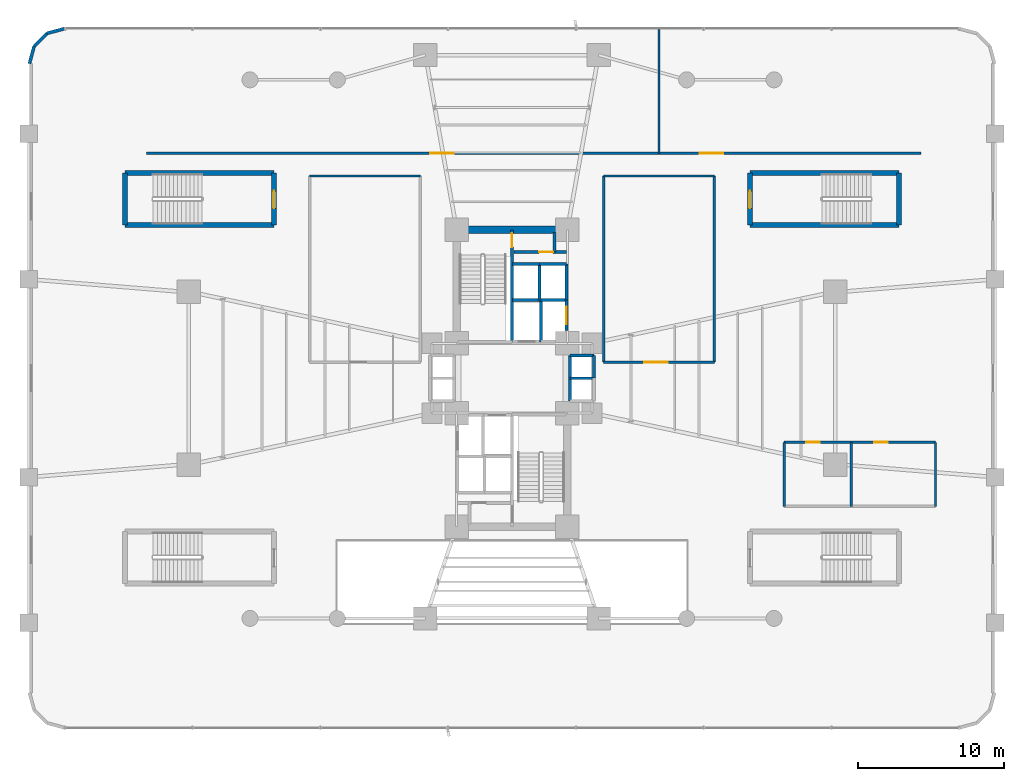
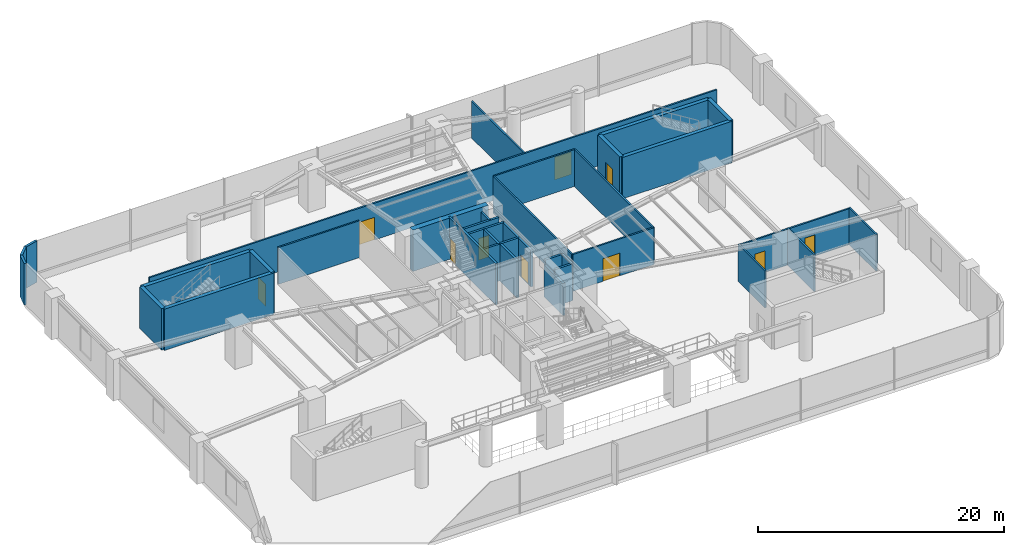
# One storey, part 17 of 23: 37 walls, 10 doors, 10 openings.
"""IFC4 building model written with IfcOpenShell, lengths in metres."""

from ifc_helpers import new_model, si_unit, direction, frame, frame_2d, origin, origin_2d, place, context, subcontext, project, spatial, rectangle, extrude, source, transform, mapped, material, layer, layer_set, type_object, element, fill, save


model = new_model("IFC4")

# Units and contexts
model_context = context("Model", 3, precision=1e-05, world=origin(), true_north=direction((0.0, 1.0)))
body_context = subcontext(model_context, "Body", "Model", "MODEL_VIEW")
ifc_project = project(units=[si_unit("LENGTHUNIT", "METRE"), si_unit("AREAUNIT", "SQUARE_METRE"), si_unit("VOLUMEUNIT", "CUBIC_METRE"), si_unit("PLANEANGLEUNIT", "RADIAN"), si_unit("MASSUNIT", "GRAM", prefix="KILO")], contexts=[model_context])

# Site, building, storey
site_placement = place(None, origin())
site = spatial("IfcSite", under=ifc_project, at=site_placement, CompositionType="ELEMENT")
building_placement = place(site_placement, origin())
building = spatial("IfcBuilding", under=site, at=building_placement, Name="Sahyath Konkavel Grand Hotel", CompositionType="ELEMENT")
storey_placement = place(building_placement, frame((0.0, 0.0, 4.800048828125)))
storey = spatial("IfcBuildingStorey", under=building, at=storey_placement, Name="L01", CompositionType="ELEMENT", Elevation=4.800048828125)

# Walls
ifc_material_1 = material(Name="Concrete C40/50", Category="concrete")
ifc_layer_1 = layer(ifc_material_1, 0.35009765625)
ifc_layer_set_1 = layer_set([ifc_layer_1], Name="Concrete C40/50")
wall_type_1 = type_object("IfcWallType", Name="CWALL-350", PredefinedType="SHEAR", material=ifc_layer_set_1)
for number, where, z_axis, x_axis, name in (
    (1, (-26.60009765625, 14.10009765625, 0.0), (0.0, 0.0, 1.0), (1.0, 0.0, 0.0), "L01 Partition ST-P1-N"),
    (2, (-26.60009765625, 10.52001953125, 0.0), (0.0, 0.0, 1.0), (1.0, 0.0, 0.0), "L01 Partition ST-P1-S"),
):
    element("IfcWall", number, at=place(storey_placement, frame(where, z_axis=z_axis, x_axis=x_axis)), inside=storey, type_object=wall_type_1, Name=name, PredefinedType="SHEAR", context=body_context, shape_type="SweptSolid", body=[
        extrude(rectangle(XDim=10.25, YDim=0.35009765625, at=frame_2d((5.125, 0.0))), origin(), (0.0, 0.0, 1.0), 4.099853515625),
    ])
wall_1_placement = place(storey_placement, frame((-26.60009765625, 10.52001953125, 0.0), z_axis=(0.0, 0.0, 1.0), x_axis=(0.0, 1.0, 0.0)))
element("IfcWall", 3, at=wall_1_placement, inside=storey, type_object=wall_type_1, Name="L01 Partition ST-P1-W", PredefinedType="SHEAR", context=body_context, shape_type="SweptSolid", body=[
    extrude(rectangle(XDim=3.580078125, YDim=0.35009765625, at=frame_2d((1.7900390625, 0.0))), origin(), (0.0, 0.0, 1.0), 4.099853515625),
])

# Wall, opening, door
wall_2_placement = place(storey_placement, frame((-16.35009765625, 10.52001953125, 0.0), z_axis=(0.0, 0.0, 1.0), x_axis=(0.0, 1.0, 0.0)))
wall_2 = element("IfcWall", 4, at=wall_2_placement, inside=storey, type_object=wall_type_1, Name="L01 Partition ST-P1-E", PredefinedType="SHEAR", context=body_context, shape_type="SweptSolid", body=[
    extrude(rectangle(XDim=3.580078125, YDim=0.35009765625, at=frame_2d((1.7900390625, 0.0))), origin(), (0.0, 0.0, 1.0), 4.099853515625),
])
opening_1_placement = place(wall_2_placement, frame((1.14990234375, 0.0, 0.0)))
opening_1 = element("IfcOpeningElement", 5, at=opening_1_placement, cuts=wall_2, Name="Opening D-F12A", PredefinedType="OPENING", context=body_context, shape_type="SweptSolid", body=[
    extrude(rectangle(XDim=1.199951171875, YDim=2.199951171875, at=frame_2d((0.60009765625, 1.10009765625))), frame((0.0, 0.18505859375, 0.0), z_axis=(0.0, -1.0, 0.0), x_axis=(1.0, 0.0, 0.0)), (0.0, 0.0, 1.0), 0.3701171875),
])
ifc_material_2 = material(Name="Steel E350 Fire Door", Category="steel")
door_type_1 = type_object("IfcDoorType", Name="DR-FD120-1200", OperationType="NOTDEFINED", PredefinedType="DOOR", material=ifc_material_2)
shared_shape_1 = source(origin(), body_context, "Body", "SweptSolid", [
    extrude(rectangle(XDim=1.199951171875, YDim=0.050048828125, at=origin_2d()), origin(), (0.0, 0.0, 1.0), 2.199951171875),
])
door_1_placement = place(opening_1_placement, frame((0.60009765625, 0.0, 0.0)))
door_1 = element("IfcDoor", 6, at=door_1_placement, inside=storey, type_object=door_type_1, Name="L01 ST-P1 Fire Door", OperationType="SINGLE_SWING_LEFT", OverallHeight=2.199951171875, OverallWidth=1.199951171875, PredefinedType="DOOR", context=body_context, shape_type="MappedRepresentation", body=[
    mapped(shared_shape_1, transform((0.0, 0.0, 0.0), scale=1.0)),
])
fill(opening_1, door_1)

# Walls
for number, where, z_axis, x_axis, name in (
    (7, (16.35009765625, 14.10009765625, 0.0), (0.0, 0.0, 1.0), (1.0, 0.0, 0.0), "L01 Partition ST-P2-N"),
    (8, (16.35009765625, 10.52001953125, 0.0), (0.0, 0.0, 1.0), (1.0, 0.0, 0.0), "L01 Partition ST-P2-S"),
):
    element("IfcWall", number, at=place(storey_placement, frame(where, z_axis=z_axis, x_axis=x_axis)), inside=storey, type_object=wall_type_1, Name=name, PredefinedType="SHEAR", context=body_context, shape_type="SweptSolid", body=[
        extrude(rectangle(XDim=10.25, YDim=0.35009765625, at=frame_2d((5.125, 0.0))), origin(), (0.0, 0.0, 1.0), 4.099853515625),
    ])

# Wall, opening, door
wall_3_placement = place(storey_placement, frame((16.35009765625, 10.52001953125, 0.0), z_axis=(0.0, 0.0, 1.0), x_axis=(0.0, 1.0, 0.0)))
wall_3 = element("IfcWall", 9, at=wall_3_placement, inside=storey, type_object=wall_type_1, Name="L01 Partition ST-P2-W", PredefinedType="SHEAR", context=body_context, shape_type="SweptSolid", body=[
    extrude(rectangle(XDim=3.580078125, YDim=0.35009765625, at=frame_2d((1.7900390625, 0.0))), origin(), (0.0, 0.0, 1.0), 4.099853515625),
])
opening_2_placement = place(wall_3_placement, frame((1.14990234375, 0.0, 0.0)))
opening_2 = element("IfcOpeningElement", 10, at=opening_2_placement, cuts=wall_3, Name="Opening D-F12A", PredefinedType="OPENING", context=body_context, shape_type="SweptSolid", body=[
    extrude(rectangle(XDim=1.199951171875, YDim=2.199951171875, at=frame_2d((0.60009765625, 1.10009765625))), frame((0.0, 0.18505859375, 0.0), z_axis=(0.0, -1.0, 0.0), x_axis=(1.0, 0.0, 0.0)), (0.0, 0.0, 1.0), 0.3701171875),
])
door_2_placement = place(opening_2_placement, frame((0.60009765625, 0.0, 0.0)))
door_2 = element("IfcDoor", 11, at=door_2_placement, inside=storey, type_object=door_type_1, Name="L01 ST-P2 Fire Door", OperationType="SINGLE_SWING_RIGHT", OverallHeight=2.199951171875, OverallWidth=1.199951171875, PredefinedType="DOOR", context=body_context, shape_type="MappedRepresentation", body=[
    mapped(shared_shape_1, transform((0.0, 0.0, 0.0), scale=1.0)),
])
fill(opening_2, door_2)

# Walls
wall_4_placement = place(storey_placement, frame((26.60009765625, 10.52001953125, 0.0), z_axis=(0.0, 0.0, 1.0), x_axis=(0.0, 1.0, 0.0)))
element("IfcWall", 12, at=wall_4_placement, inside=storey, type_object=wall_type_1, Name="L01 Partition ST-P2-E", PredefinedType="SHEAR", context=body_context, shape_type="SweptSolid", body=[
    extrude(rectangle(XDim=3.580078125, YDim=0.35009765625, at=frame_2d((1.7900390625, 0.0))), origin(), (0.0, 0.0, 1.0), 4.099853515625),
])
ifc_material_3 = material(Name="Concrete C70/85", Category="concrete")
ifc_layer_2 = layer(ifc_material_3, 0.5)
ifc_layer_set_2 = layer_set([ifc_layer_2], Name="Concrete C70/85")
wall_type_2 = type_object("IfcWallType", Name="CWALL-500", PredefinedType="SHEAR", material=ifc_layer_set_2)
wall_5_placement = place(storey_placement, frame((-3.550048828125, 10.199951171875, 0.0), z_axis=(0.0, 0.0, 1.0), x_axis=(1.0, 0.0, 0.0)))
element("IfcWall", 13, at=wall_5_placement, inside=storey, type_object=wall_type_2, Name="L01 North Core Shear Wall N", PredefinedType="SHEAR", context=body_context, shape_type="SweptSolid", body=[
    extrude(rectangle(XDim=7.10009765625, YDim=0.5, at=frame_2d((3.550048828125, 0.0))), origin(), (0.0, 0.0, 1.0), 4.099853515625),
])
ifc_material_4 = material(Name="Warm Buff Sandstone Insulated Concrete C40/50", Category="masonry")
ifc_layer_3 = layer(ifc_material_4, 0.219970703125)
ifc_layer_set_3 = layer_set([ifc_layer_3], Name="Warm Buff Sandstone Insulated Concrete C40/50")
wall_type_3 = type_object("IfcWallType", Name="WLL-BALC-THRESH", PredefinedType="STANDARD", material=ifc_layer_set_3)
wall_6_placement = place(storey_placement, frame((-30.751953125, 24.012939453125, 0.0), z_axis=(0.0, 0.0, 1.0), x_axis=(-0.965924366126, -0.258824494443, 0.0)))
element("IfcWall", 14, at=wall_6_placement, inside=storey, type_object=wall_type_3, Name="L01 Rounded Podium Corner Sandstone Pier 8", PredefinedType="STANDARD", context=body_context, shape_type="SweptSolid", body=[
    extrude(rectangle(XDim=1.2421875, YDim=0.219970703125, at=frame_2d((0.62109375, 0.0))), origin(), (0.0, 0.0, 1.0), 4.099853515625),
])
wall_7_placement = place(storey_placement, frame((-31.951904296875, 23.69140625, 0.0), z_axis=(0.0, 0.0, 1.0), x_axis=(-0.707205024573, -0.707008524149, 0.0)))
element("IfcWall", 15, at=wall_7_placement, inside=storey, type_object=wall_type_3, Name="L01 Rounded Podium Corner Sandstone Pier 9", PredefinedType="STANDARD", context=body_context, shape_type="SweptSolid", body=[
    extrude(rectangle(XDim=1.242431640625, YDim=0.219970703125, at=frame_2d((0.62109375, 0.0))), origin(), (0.0, 0.0, 1.0), 4.099853515625),
])
wall_8_placement = place(storey_placement, frame((-32.83056640625, 22.81298828125, 0.0), z_axis=(0.0, 0.0, 1.0), x_axis=(-0.258824494443, -0.965924366126, 0.0)))
element("IfcWall", 16, at=wall_8_placement, inside=storey, type_object=wall_type_3, Name="L01 Rounded Podium Corner Sandstone Pier 10", PredefinedType="STANDARD", context=body_context, shape_type="SweptSolid", body=[
    extrude(rectangle(XDim=1.2421875, YDim=0.219970703125, at=frame_2d((0.62109375, 0.0))), origin(), (0.0, 0.0, 1.0), 4.099853515625),
])

# Wall, opening, door
ifc_layer_4 = layer(ifc_material_1, 0.199951171875)
ifc_layer_set_4 = layer_set([ifc_layer_4], Name="Concrete C40/50")
wall_type_4 = type_object("IfcWallType", Name="WLL-CORE-200", PredefinedType="SOLIDWALL", material=ifc_layer_set_4)
wall_9_placement = place(storey_placement, frame((0.0, 2.5, 0.0), z_axis=(0.0, 0.0, 1.0), x_axis=(0.0, 1.0, 0.0)))
wall_9 = element("IfcWall", 17, at=wall_9_placement, inside=storey, type_object=wall_type_4, Name="L01 Stair ST-1 Shaft Wall E", PredefinedType="SOLIDWALL", context=body_context, shape_type="SweptSolid", body=[
    extrude(rectangle(XDim=7.679931640625, YDim=0.199951171875, at=frame_2d((3.83984375, 0.0))), origin(), (0.0, 0.0, 1.0), 4.099853515625),
])
opening_3_placement = place(wall_9_placement, frame((6.5, 0.0, 0.0)))
opening_3 = element("IfcOpeningElement", 18, at=opening_3_placement, cuts=wall_9, Name="Opening D-F12C", PredefinedType="OPENING", context=body_context, shape_type="SweptSolid", body=[
    extrude(rectangle(XDim=0.949951171875, YDim=2.14990234375, at=frame_2d((0.47509765625, 1.074951171875))), frame((0.0, 0.10986328125, 0.0), z_axis=(0.0, -1.0, 0.0), x_axis=(1.0, 0.0, 0.0)), (0.0, 0.0, 1.0), 0.219970703125),
])
ifc_material_5 = material(Name="Steel E350 Plant Fire Door", Category="steel")
door_type_2 = type_object("IfcDoorType", Name="DR-FD120-950", OperationType="NOTDEFINED", PredefinedType="DOOR", material=ifc_material_5)
shared_shape_2 = source(origin(), body_context, "Body", "SweptSolid", [
    extrude(rectangle(XDim=0.949951171875, YDim=0.050048828125, at=origin_2d()), origin(), (0.0, 0.0, 1.0), 2.14990234375),
])
door_3_placement = place(opening_3_placement, frame((0.47509765625, 0.0, 0.0)))
door_3 = element("IfcDoor", 19, at=door_3_placement, inside=storey, type_object=door_type_2, Name="L01 Stair ST-1 Fire Door", OperationType="SINGLE_SWING_LEFT", OverallHeight=2.14990234375, OverallWidth=0.949951171875, PredefinedType="DOOR", context=body_context, shape_type="MappedRepresentation", body=[
    mapped(shared_shape_2, transform((0.0, 0.0, 0.0), scale=1.0)),
])
fill(opening_3, door_3)

# Wall
wall_10_placement = place(storey_placement, frame((2.0, 2.5, 0.0), z_axis=(0.0, 0.0, 1.0), x_axis=(0.0, 1.0, 0.0)))
element("IfcWall", 20, at=wall_10_placement, inside=storey, type_object=wall_type_4, Name="L01 Partition SH-FFL1-E", PredefinedType="SOLIDWALL", context=body_context, shape_type="SweptSolid", body=[
    extrude(rectangle(XDim=2.780029296875, YDim=0.199951171875, at=frame_2d((1.39013671875, 0.0))), origin(), (0.0, 0.0, 1.0), 3.64990234375),
])

# Wall, opening, door
wall_11_placement = place(storey_placement, frame((3.739990234375, 3.280029296875, 0.0), z_axis=(0.0, 0.0, 1.0), x_axis=(0.0, 1.0, 0.0)))
wall_11 = element("IfcWall", 21, at=wall_11_placement, inside=storey, type_object=wall_type_4, Name="L01 Partition SH-SVL1-E", PredefinedType="SOLIDWALL", context=body_context, shape_type="SweptSolid", body=[
    extrude(rectangle(XDim=2.080078125, YDim=0.199951171875, at=frame_2d((1.0400390625, 0.0))), origin(), (0.0, 0.0, 1.0), 3.64990234375),
])
opening_4_placement = place(wall_11_placement, frame((0.43994140625, 0.0, 0.0)))
opening_4 = element("IfcOpeningElement", 22, at=opening_4_placement, cuts=wall_11, Name="Opening LD-12", PredefinedType="OPENING", context=body_context, shape_type="SweptSolid", body=[
    extrude(rectangle(XDim=1.199951171875, YDim=2.199951171875, at=frame_2d((0.60009765625, 1.10009765625))), frame((0.0, 0.10986328125, 0.0), z_axis=(0.0, -1.0, 0.0), x_axis=(1.0, 0.0, 0.0)), (0.0, 0.0, 1.0), 0.219970703125),
])
ifc_material_6 = material(Name="Stainless Steel Lift Landing Door 1200", Category="steel")
door_type_3 = type_object("IfcDoorType", Name="DR-LIFT-1200", OperationType="DOUBLE_DOOR_SLIDING", PredefinedType="DOOR", material=ifc_material_6)
door_4_placement = place(opening_4_placement, frame((0.60009765625, 0.0, 0.0)))
door_4 = element("IfcDoor", 23, at=door_4_placement, inside=storey, type_object=door_type_3, Name="L01 Service Lift SVL-1 Landing Door", OperationType="DOUBLE_DOOR_SLIDING", OverallHeight=2.199951171875, OverallWidth=1.199951171875, PredefinedType="DOOR", context=body_context, shape_type="MappedRepresentation", body=[
    mapped(shared_shape_1, transform((0.0, 0.0, 0.0), scale=1.0)),
])
fill(opening_4, door_4)

# Walls
wall_12_placement = place(storey_placement, frame((0.050048828125, 5.3798828125, 0.0), z_axis=(0.0, 0.0, 1.0), x_axis=(1.0, 0.0, 0.0)))
element("IfcWall", 24, at=wall_12_placement, inside=storey, type_object=wall_type_4, Name="L01 Partition SH-PL12-S", PredefinedType="SOLIDWALL", context=body_context, shape_type="SweptSolid", body=[
    extrude(rectangle(XDim=3.68994140625, YDim=0.199951171875, at=frame_2d((1.844970703125, 0.0))), origin(), (0.0, 0.0, 1.0), 3.64990234375),
])
wall_13_placement = place(storey_placement, frame((1.89990234375, 5.3798828125, 0.0), z_axis=(0.0, 0.0, 1.0), x_axis=(0.0, 1.0, 0.0)))
element("IfcWall", 25, at=wall_13_placement, inside=storey, type_object=wall_type_4, Name="L01 Partition SH-PL12-M", PredefinedType="SOLIDWALL", context=body_context, shape_type="SweptSolid", body=[
    extrude(rectangle(XDim=2.480224609375, YDim=0.199951171875, at=frame_2d((1.240234375, 0.0))), origin(), (0.0, 0.0, 1.0), 3.64990234375),
])
wall_14_placement = place(storey_placement, frame((0.050048828125, 7.860107421875, 0.0), z_axis=(0.0, 0.0, 1.0), x_axis=(1.0, 0.0, 0.0)))
element("IfcWall", 26, at=wall_14_placement, inside=storey, type_object=wall_type_4, Name="L01 Partition SH-PL1-N", PredefinedType="SOLIDWALL", context=body_context, shape_type="SweptSolid", body=[
    extrude(rectangle(XDim=1.849853515625, YDim=0.199951171875, at=frame_2d((0.9248046875, 0.0))), origin(), (0.0, 0.0, 1.0), 3.64990234375),
])
wall_15_placement = place(storey_placement, frame((3.739990234375, 5.3798828125, 0.0), z_axis=(0.0, 0.0, 1.0), x_axis=(0.0, 1.0, 0.0)))
element("IfcWall", 27, at=wall_15_placement, inside=storey, type_object=wall_type_4, Name="L01 Partition SH-PL2-E", PredefinedType="SOLIDWALL", context=body_context, shape_type="SweptSolid", body=[
    extrude(rectangle(XDim=2.480224609375, YDim=0.199951171875, at=frame_2d((1.240234375, 0.0))), origin(), (0.0, 0.0, 1.0), 3.64990234375),
])
wall_16_placement = place(storey_placement, frame((1.89990234375, 7.860107421875, 0.0), z_axis=(0.0, 0.0, 1.0), x_axis=(1.0, 0.0, 0.0)))
element("IfcWall", 28, at=wall_16_placement, inside=storey, type_object=wall_type_4, Name="L01 Partition SH-PL2-N", PredefinedType="SOLIDWALL", context=body_context, shape_type="SweptSolid", body=[
    extrude(rectangle(XDim=1.840087890625, YDim=0.199951171875, at=frame_2d((0.919921875, 0.0))), origin(), (0.0, 0.0, 1.0), 3.64990234375),
])
wall_17_placement = place(storey_placement, frame((3.97998046875, -1.56005859375, 0.0), z_axis=(0.0, 0.0, 1.0), x_axis=(0.0, 1.0, 0.0)))
element("IfcWall", 29, at=wall_17_placement, inside=storey, type_object=wall_type_4, Name="L01 Partition SH-PL56-W", PredefinedType="SOLIDWALL", context=body_context, shape_type="SweptSolid", body=[
    extrude(rectangle(XDim=3.1201171875, YDim=0.199951171875, at=frame_2d((1.56005859375, 0.0))), origin(), (0.0, 0.0, 1.0), 3.169921875),
])
for number, where, z_axis, x_axis, name in (
    (30, (3.97998046875, 1.56005859375, 0.0), (0.0, 0.0, 1.0), (1.0, 0.0, 0.0), "L01 Partition SH-PL56-N"),
    (31, (3.97998046875, 0.0, 0.0), (0.0, 0.0, 1.0), (1.0, 0.0, 0.0), "L01 Partition SH-PL56-M"),
):
    element("IfcWall", number, at=place(storey_placement, frame(where, z_axis=z_axis, x_axis=x_axis)), inside=storey, type_object=wall_type_4, Name=name, PredefinedType="SOLIDWALL", context=body_context, shape_type="SweptSolid", body=[
        extrude(rectangle(XDim=1.64013671875, YDim=0.199951171875, at=frame_2d((0.820068359375, 0.0))), origin(), (0.0, 0.0, 1.0), 3.64990234375),
    ])
wall_18_placement = place(storey_placement, frame((5.6201171875, 0.0, 0.0), z_axis=(0.0, 0.0, 1.0), x_axis=(0.0, 1.0, 0.0)))
element("IfcWall", 32, at=wall_18_placement, inside=storey, type_object=wall_type_4, Name="L01 Partition SH-PL5-E", PredefinedType="SOLIDWALL", context=body_context, shape_type="SweptSolid", body=[
    extrude(rectangle(XDim=1.56005859375, YDim=0.199951171875, at=frame_2d((0.780029296875, 0.0))), origin(), (0.0, 0.0, 1.0), 3.64990234375),
])

# Wall, opening, door
wall_19_placement = place(storey_placement, frame((0.1201171875, 8.679931640625, 0.0), z_axis=(0.0, 0.0, 1.0), x_axis=(1.0, 0.0, 0.0)))
wall_19 = element("IfcWall", 33, at=wall_19_placement, inside=storey, type_object=wall_type_4, Name="L01 North FF Lobby Separation Wall", PredefinedType="SOLIDWALL", context=body_context, shape_type="SweptSolid", body=[
    extrude(rectangle(XDim=3.619873046875, YDim=0.199951171875, at=frame_2d((1.81005859375, 0.0))), origin(), (0.0, 0.0, 1.0), 3.64990234375),
])
opening_5_placement = place(wall_19_placement, frame((1.75, 0.0, 0.0)))
opening_5 = element("IfcOpeningElement", 34, at=opening_5_placement, cuts=wall_19, Name="Opening D-F12C", PredefinedType="OPENING", context=body_context, shape_type="SweptSolid", body=[
    extrude(rectangle(XDim=0.949951171875, YDim=2.14990234375, at=frame_2d((0.47509765625, 1.074951171875))), frame((0.0, 0.10986328125, 0.0), z_axis=(0.0, -1.0, 0.0), x_axis=(1.0, 0.0, 0.0)), (0.0, 0.0, 1.0), 0.219970703125),
])
door_5_placement = place(opening_5_placement, frame((0.47509765625, 0.0, 0.0)))
door_5 = element("IfcDoor", 35, at=door_5_placement, inside=storey, type_object=door_type_2, Name="L01 North Firefighting Lobby Door", OperationType="SINGLE_SWING_RIGHT", OverallHeight=2.14990234375, OverallWidth=0.949951171875, PredefinedType="DOOR", context=body_context, shape_type="MappedRepresentation", body=[
    mapped(shared_shape_2, transform((0.0, 0.0, 0.0), scale=1.0)),
])
fill(opening_5, door_5)

# Wall
wall_20_placement = place(storey_placement, frame((2.919921875, 8.679931640625, 0.0), z_axis=(0.0, 0.0, 1.0), x_axis=(0.0, 1.0, 0.0)))
element("IfcWall", 36, at=wall_20_placement, inside=storey, type_object=wall_type_4, Name="L01 Partition NFF-E2", PredefinedType="SOLIDWALL", context=body_context, shape_type="SweptSolid", body=[
    extrude(rectangle(XDim=1.320068359375, YDim=0.199951171875, at=frame_2d((0.66015625, 0.0))), origin(), (0.0, 0.0, 1.0), 3.64990234375),
])

# Wall, openings, doors
ifc_material_7 = material(Name="Fire-Rated Gypsum Plasterboard Partition")
ifc_layer_5 = layer(ifc_material_7, 0.14990234375)
ifc_layer_set_5 = layer_set([ifc_layer_5], Name="Fire-Rated Gypsum Plasterboard Partition")
wall_type_5 = type_object("IfcWallType", Name="WLL-PART-150", PredefinedType="PARTITIONING", material=ifc_layer_set_5)
wall_21_placement = place(storey_placement, frame((-25.10009765625, 15.449951171875, 0.0), z_axis=(0.0, 0.0, 1.0), x_axis=(1.0, 0.0, 0.0)))
wall_21 = element("IfcWall", 37, at=wall_21_placement, inside=storey, type_object=wall_type_5, Name="L01 Partition L01-ADD-S", PredefinedType="PARTITIONING", context=body_context, shape_type="SweptSolid", body=[
    extrude(rectangle(XDim=53.2001953125, YDim=0.14990234375, at=frame_2d((26.60009765625, 0.0))), origin(), (0.0, 0.0, 1.0), 3.64990234375),
])
opening_6_placement = place(wall_21_placement, frame((19.5, 0.0, 0.0)))
opening_6 = element("IfcOpeningElement", 38, at=opening_6_placement, cuts=wall_21, Name="Opening D-DB16", PredefinedType="OPENING", context=body_context, shape_type="SweptSolid", body=[
    extrude(rectangle(XDim=1.60009765625, YDim=2.25, at=frame_2d((0.800048828125, 1.125))), frame((0.0, 0.0849609375, 0.0), z_axis=(0.0, -1.0, 0.0), x_axis=(1.0, 0.0, 0.0)), (0.0, 0.0, 1.0), 0.169921875),
])
opening_7_placement = place(wall_21_placement, frame((38.0, 0.0, 0.0)))
opening_7 = element("IfcOpeningElement", 39, at=opening_7_placement, cuts=wall_21, Name="Opening D-DB16", PredefinedType="OPENING", context=body_context, shape_type="SweptSolid", body=[
    extrude(rectangle(XDim=1.60009765625, YDim=2.25, at=frame_2d((0.800048828125, 1.125))), frame((0.0, 0.0849609375, 0.0), z_axis=(0.0, -1.0, 0.0), x_axis=(1.0, 0.0, 0.0)), (0.0, 0.0, 1.0), 0.169921875),
])
ifc_material_8 = material(Name="Double Leaf Lounge Glazed Timber Door", Category="wood")
door_type_4 = type_object("IfcDoorType", Name="DR-DBL-1600", OperationType="DOUBLE_DOOR_SINGLE_SWING", PredefinedType="DOOR", material=ifc_material_8)
shared_shape_3 = source(origin(), body_context, "Body", "SweptSolid", [
    extrude(rectangle(XDim=1.60009765625, YDim=0.050048828125, at=origin_2d()), origin(), (0.0, 0.0, 1.0), 2.25),
])
door_6_placement = place(opening_6_placement, frame((0.800048828125, 0.0, 0.0)))
door_6 = element("IfcDoor", 40, at=door_6_placement, inside=storey, type_object=door_type_4, Name="L01 Door L01-ADD-D", OperationType="DOUBLE_DOOR_SINGLE_SWING", OverallHeight=2.25, OverallWidth=1.60009765625, PredefinedType="DOOR", context=body_context, shape_type="MappedRepresentation", body=[
    mapped(shared_shape_3, transform((0.0, 0.0, 0.0), scale=1.0)),
])
fill(opening_6, door_6)
door_7_placement = place(opening_7_placement, frame((0.800048828125, 0.0, 0.0)))
door_7 = element("IfcDoor", 41, at=door_7_placement, inside=storey, type_object=door_type_4, Name="L01 Door L01-SPEC-D", OperationType="DOUBLE_DOOR_SINGLE_SWING", OverallHeight=2.25, OverallWidth=1.60009765625, PredefinedType="DOOR", context=body_context, shape_type="MappedRepresentation", body=[
    mapped(shared_shape_3, transform((0.0, 0.0, 0.0), scale=1.0)),
])
fill(opening_7, door_7)

# Walls
wall_22_placement = place(storey_placement, frame((10.10009765625, 15.449951171875, 0.0), z_axis=(0.0, 0.0, 1.0), x_axis=(0.0, 1.0, 0.0)))
element("IfcWall", 42, at=wall_22_placement, inside=storey, type_object=wall_type_5, Name="L01 Partition L01-ADD-M", PredefinedType="PARTITIONING", context=body_context, shape_type="SweptSolid", body=[
    extrude(rectangle(XDim=8.52001953125, YDim=0.14990234375, at=frame_2d((4.260009765625, 0.0))), origin(), (0.0, 0.0, 1.0), 3.64990234375),
])
wall_23_placement = place(storey_placement, frame((-13.89990234375, 13.89990234375, 0.0), z_axis=(0.0, 0.0, 1.0), x_axis=(1.0, 0.0, 0.0)))
element("IfcWall", 43, at=wall_23_placement, inside=storey, type_object=wall_type_5, Name="L01 Partition L01-KIT-N", PredefinedType="PARTITIONING", context=body_context, shape_type="SweptSolid", body=[
    extrude(rectangle(XDim=7.599853515625, YDim=0.14990234375, at=frame_2d((3.7998046875, 0.0))), origin(), (0.0, 0.0, 1.0), 3.64990234375),
])

# Wall, opening, door
wall_24_placement = place(storey_placement, frame((6.300048828125, 1.10009765625, 0.0), z_axis=(0.0, 0.0, 1.0), x_axis=(1.0, 0.0, 0.0)))
wall_24 = element("IfcWall", 44, at=wall_24_placement, inside=storey, type_object=wall_type_5, Name="L01 Partition L01-TEA-S", PredefinedType="PARTITIONING", context=body_context, shape_type="SweptSolid", body=[
    extrude(rectangle(XDim=7.599853515625, YDim=0.14990234375, at=frame_2d((3.7998046875, 0.0))), origin(), (0.0, 0.0, 1.0), 3.64990234375),
])
opening_8_placement = place(wall_24_placement, frame((2.800048828125, 0.0, 0.0)))
opening_8 = element("IfcOpeningElement", 45, at=opening_8_placement, cuts=wall_24, Name="Opening D-DB16", PredefinedType="OPENING", context=body_context, shape_type="SweptSolid", body=[
    extrude(rectangle(XDim=1.60009765625, YDim=2.25, at=frame_2d((0.800048828125, 1.125))), frame((0.0, 0.0849609375, 0.0), z_axis=(0.0, -1.0, 0.0), x_axis=(1.0, 0.0, 0.0)), (0.0, 0.0, 1.0), 0.169921875),
])
door_8_placement = place(opening_8_placement, frame((0.800048828125, 0.0, 0.0)))
door_8 = element("IfcDoor", 46, at=door_8_placement, inside=storey, type_object=door_type_4, Name="L01 Door L01-TEA-D", OperationType="DOUBLE_DOOR_SINGLE_SWING", OverallHeight=2.25, OverallWidth=1.60009765625, PredefinedType="DOOR", context=body_context, shape_type="MappedRepresentation", body=[
    mapped(shared_shape_3, transform((0.0, 0.0, 0.0), scale=1.0)),
])
fill(opening_8, door_8)

# Walls
for number, where, z_axis, x_axis, name in (
    (47, (6.300048828125, 1.10009765625, 0.0), (0.0, 0.0, 1.0), (0.0, 1.0, 0.0), "L01 Partition L01-TEA-W"),
    (48, (13.89990234375, 1.10009765625, 0.0), (0.0, 0.0, 1.0), (0.0, 1.0, 0.0), "L01 Partition L01-TEA-E"),
):
    element("IfcWall", number, at=place(storey_placement, frame(where, z_axis=z_axis, x_axis=x_axis)), inside=storey, type_object=wall_type_5, Name=name, PredefinedType="PARTITIONING", context=body_context, shape_type="SweptSolid", body=[
        extrude(rectangle(XDim=12.7998046875, YDim=0.14990234375, at=frame_2d((6.39990234375, 0.0))), origin(), (0.0, 0.0, 1.0), 3.64990234375),
    ])
wall_25_placement = place(storey_placement, frame((6.300048828125, 13.89990234375, 0.0), z_axis=(0.0, 0.0, 1.0), x_axis=(1.0, 0.0, 0.0)))
element("IfcWall", 49, at=wall_25_placement, inside=storey, type_object=wall_type_5, Name="L01 Partition L01-TEA-N", PredefinedType="PARTITIONING", context=body_context, shape_type="SweptSolid", body=[
    extrude(rectangle(XDim=7.599853515625, YDim=0.14990234375, at=frame_2d((3.7998046875, 0.0))), origin(), (0.0, 0.0, 1.0), 3.64990234375),
])

# Wall, openings, doors
wall_26_placement = place(storey_placement, frame((18.699951171875, -4.39990234375, 0.0), z_axis=(0.0, 0.0, 1.0), x_axis=(1.0, 0.0, 0.0)))
wall_26 = element("IfcWall", 50, at=wall_26_placement, inside=storey, type_object=wall_type_5, Name="L01 Partition L01-WC-N", PredefinedType="PARTITIONING", context=body_context, shape_type="SweptSolid", body=[
    extrude(rectangle(XDim=10.400146484375, YDim=0.14990234375, at=frame_2d((5.2001953125, 0.0))), origin(), (0.0, 0.0, 1.0), 3.570068359375),
])
opening_9_placement = place(wall_26_placement, frame((1.5, 0.0, 0.0)))
opening_9 = element("IfcOpeningElement", 51, at=opening_9_placement, cuts=wall_26, Name="Opening D-AC95", PredefinedType="OPENING", context=body_context, shape_type="SweptSolid", body=[
    extrude(rectangle(XDim=0.949951171875, YDim=2.14990234375, at=frame_2d((0.47509765625, 1.074951171875))), frame((0.0, 0.0849609375, 0.0), z_axis=(0.0, -1.0, 0.0), x_axis=(1.0, 0.0, 0.0)), (0.0, 0.0, 1.0), 0.169921875),
])
opening_10_placement = place(wall_26_placement, frame((6.199951171875, 0.0, 0.0)))
opening_10 = element("IfcOpeningElement", 52, at=opening_10_placement, cuts=wall_26, Name="Opening D-IN90", PredefinedType="OPENING", context=body_context, shape_type="SweptSolid", body=[
    extrude(rectangle(XDim=0.89990234375, YDim=2.10009765625, at=frame_2d((0.449951171875, 1.050048828125))), frame((0.0, 0.0849609375, 0.0), z_axis=(0.0, -1.0, 0.0), x_axis=(1.0, 0.0, 0.0)), (0.0, 0.0, 1.0), 0.169921875),
])
ifc_material_9 = material(Name="Accessible Washroom Timber Door", Category="wood")
door_type_5 = type_object("IfcDoorType", Name="DR-ACC-950", OperationType="NOTDEFINED", PredefinedType="DOOR", material=ifc_material_9)
door_9_placement = place(opening_9_placement, frame((0.47509765625, 0.0, 0.0)))
door_9 = element("IfcDoor", 53, at=door_9_placement, inside=storey, type_object=door_type_5, Name="L01 Door L01-AWC-D", OperationType="SINGLE_SWING_RIGHT", OverallHeight=2.14990234375, OverallWidth=0.949951171875, PredefinedType="DOOR", context=body_context, shape_type="MappedRepresentation", body=[
    mapped(shared_shape_2, transform((0.0, 0.0, 0.0), scale=1.0)),
])
fill(opening_9, door_9)
ifc_material_10 = material(Name="Acoustic Timber Restroom Door", Category="wood")
door_type_6 = type_object("IfcDoorType", Name="DR-INT-900", OperationType="NOTDEFINED", PredefinedType="DOOR", material=ifc_material_10)
shared_shape_4 = source(origin(), body_context, "Body", "SweptSolid", [
    extrude(rectangle(XDim=0.89990234375, YDim=0.050048828125, at=origin_2d()), origin(), (0.0, 0.0, 1.0), 2.10009765625),
])
door_10_placement = place(opening_10_placement, frame((0.449951171875, 0.0, 0.0)))
door_10 = element("IfcDoor", 54, at=door_10_placement, inside=storey, type_object=door_type_6, Name="L01 Door L01-PWC-D", OperationType="SINGLE_SWING_LEFT", OverallHeight=2.10009765625, OverallWidth=0.89990234375, PredefinedType="DOOR", context=body_context, shape_type="MappedRepresentation", body=[
    mapped(shared_shape_4, transform((0.0, 0.0, 0.0), scale=1.0)),
])
fill(opening_10, door_10)

# Walls
for number, where, z_axis, x_axis, name in (
    (55, (18.699951171875, -8.800048828125, 0.0), (0.0, 0.0, 1.0), (0.0, 1.0, 0.0), "L01 Partition L01-WC-W"),
    (56, (23.300048828125, -8.800048828125, 0.0), (0.0, 0.0, 1.0), (0.0, 1.0, 0.0), "L01 Partition L01-WC-M"),
    (57, (29.10009765625, -8.800048828125, 0.0), (0.0, 0.0, 1.0), (0.0, 1.0, 0.0), "L01 Partition L01-WC-E"),
):
    element("IfcWall", number, at=place(storey_placement, frame(where, z_axis=z_axis, x_axis=x_axis)), inside=storey, type_object=wall_type_5, Name=name, PredefinedType="PARTITIONING", context=body_context, shape_type="SweptSolid", body=[
        extrude(rectangle(XDim=4.400146484375, YDim=0.14990234375, at=frame_2d((2.2001953125, 0.0))), origin(), (0.0, 0.0, 1.0), 3.64990234375),
    ])

save(model, "model.ifc")
